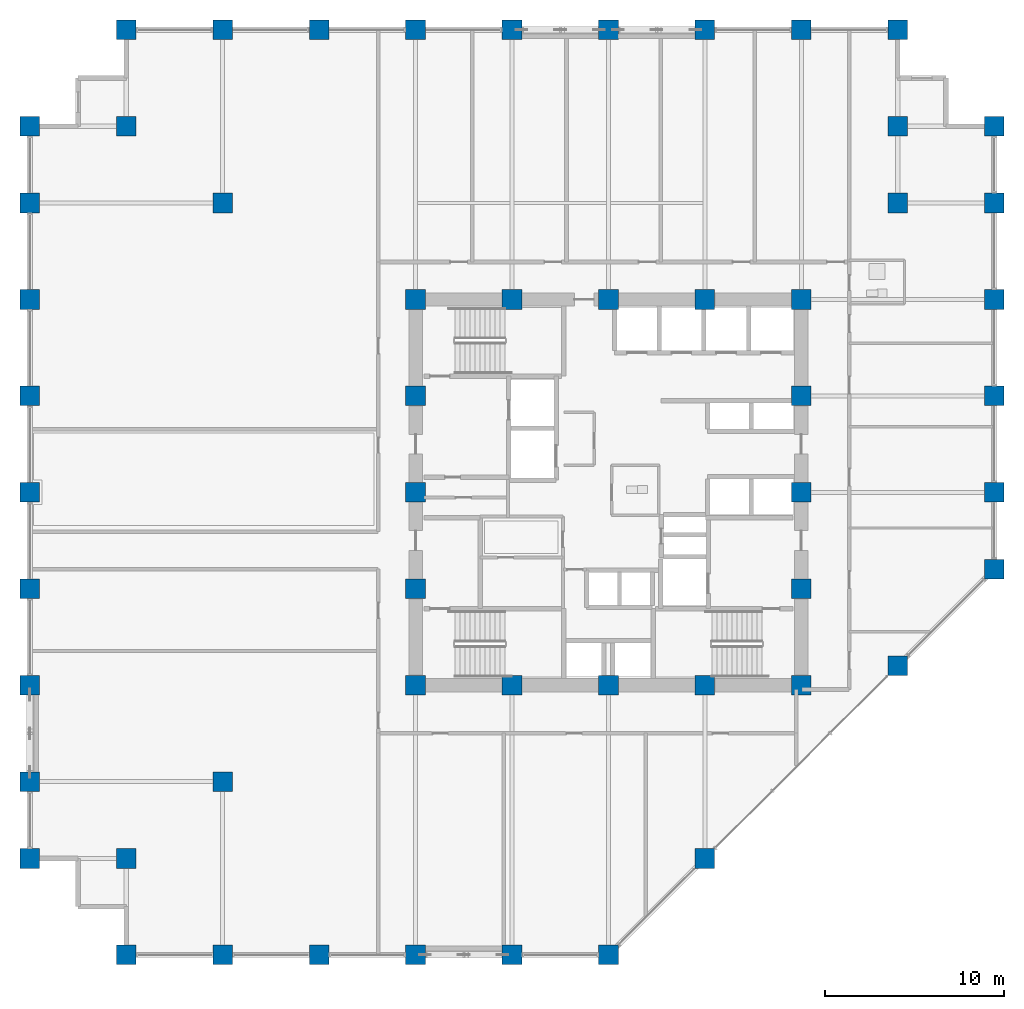
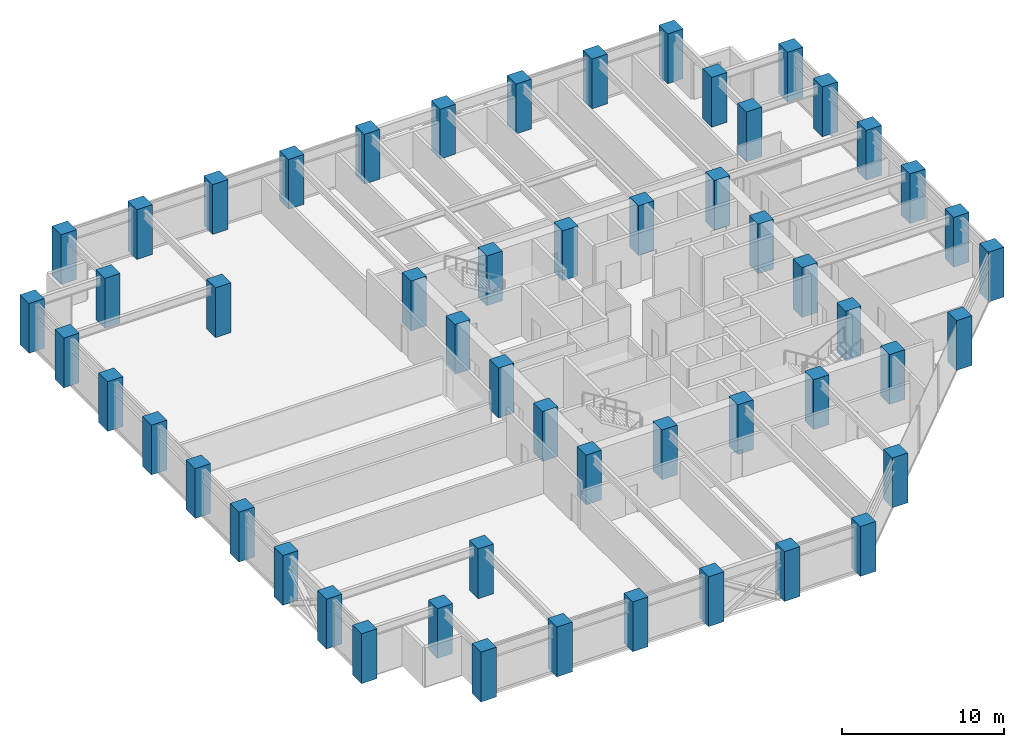
# One storey, part 1 of 25: 54 columns.
"""IFC4 building model written with IfcOpenShell, lengths in metres."""

from ifc_helpers import new_model, si_unit, direction, frame, origin, origin_2d, place, context, subcontext, project, spatial, rectangle, extrude, material, material_profile, profile_set, type_object, element, save


model = new_model("IFC4")

# Units and contexts
model_context = context("Model", 3, precision=1e-05, world=origin(), true_north=direction((0.0, 1.0)))
body_context = subcontext(model_context, "Body", "Model", "MODEL_VIEW")
ifc_project = project(units=[si_unit("LENGTHUNIT", "METRE"), si_unit("AREAUNIT", "SQUARE_METRE"), si_unit("VOLUMEUNIT", "CUBIC_METRE"), si_unit("PLANEANGLEUNIT", "RADIAN"), si_unit("MASSUNIT", "GRAM", prefix="KILO")], contexts=[model_context])

# Site, building, storey
site_placement = place(None, origin())
site = spatial("IfcSite", under=ifc_project, at=site_placement, CompositionType="ELEMENT")
building_placement = place(site_placement, origin())
building = spatial("IfcBuilding", under=site, at=building_placement, Name="Surkhivell Harbour Commons", CompositionType="ELEMENT")
storey_placement = place(building_placement, frame((0.0, 0.0, 120.75)))
storey = spatial("IfcBuildingStorey", under=building, at=storey_placement, Name="L31", CompositionType="ELEMENT", Elevation=120.75)

# Columns
ifc_material = material(Name="Concrete C60/75", Category="concrete")
ifc_material_profile = material_profile(ifc_material, rectangle(XDim=1.10009765625, YDim=1.10009765625, at=origin_2d()), Name="RC-COL-1100x1100")
ifc_profile_set = profile_set([ifc_material_profile], Name="Concrete C60/75")
column_type = type_object("IfcColumnType", Name="COL-TUBE-Z2A", PredefinedType="COLUMN", material=ifc_profile_set)
for number, where, z_axis, x_axis, name in (
    (1, (-32.39990234375, -20.5, 0.0), (0.0, 0.0, 1.0), (1.0, 0.0, 0.0), "L31 Column CT-2A (-32.4,-20.5)"),
    (2, (-32.39990234375, -16.199951171875, 0.0), (0.0, 0.0, 1.0), (1.0, 0.0, 0.0), "L31 Column CT-2A (-32.4,-16.2)"),
    (3, (-32.39990234375, -10.800048828125, 0.0), (0.0, 0.0, 1.0), (1.0, 0.0, 0.0), "L31 Column CT-2A (-32.4,-10.8)"),
    (4, (-32.39990234375, -5.39990234375, 0.0), (0.0, 0.0, 1.0), (1.0, 0.0, 0.0), "L31 Column CT-2A (-32.4,-5.4)"),
    (5, (-32.39990234375, 0.0, 0.0), (0.0, 0.0, 1.0), (1.0, 0.0, 0.0), "L31 Column CT-2A (-32.4,0.0)"),
    (6, (-32.39990234375, 5.39990234375, 0.0), (0.0, 0.0, 1.0), (1.0, 0.0, 0.0), "L31 Column CT-2A (-32.4,5.4)"),
    (7, (-32.39990234375, 10.800048828125, 0.0), (0.0, 0.0, 1.0), (1.0, 0.0, 0.0), "L31 Column CT-2A (-32.4,10.8)"),
    (8, (-32.39990234375, 16.199951171875, 0.0), (0.0, 0.0, 1.0), (1.0, 0.0, 0.0), "L31 Column CT-2A (-32.4,16.2)"),
    (9, (-32.39990234375, 20.5, 0.0), (0.0, 0.0, 1.0), (1.0, 0.0, 0.0), "L31 Column CT-2A (-32.4,20.5)"),
    (10, (-27.0, -25.89990234375, 0.0), (0.0, 0.0, 1.0), (1.0, 0.0, 0.0), "L31 Column CT-2A (-27.0,-25.9)"),
    (11, (-27.0, -20.5, 0.0), (0.0, 0.0, 1.0), (1.0, 0.0, 0.0), "L31 Column CT-2A (-27.0,-20.5)"),
    (12, (-27.0, 20.5, 0.0), (0.0, 0.0, 1.0), (1.0, 0.0, 0.0), "L31 Column CT-2A (-27.0,20.5)"),
    (13, (-27.0, 25.89990234375, 0.0), (0.0, 0.0, 1.0), (1.0, 0.0, 0.0), "L31 Column CT-2A (-27.0,25.9)"),
    (14, (-21.60009765625, -25.89990234375, 0.0), (0.0, 0.0, 1.0), (1.0, 0.0, 0.0), "L31 Column CT-2A (-21.6,-25.9)"),
    (15, (-21.60009765625, -16.199951171875, 0.0), (0.0, 0.0, 1.0), (1.0, 0.0, 0.0), "L31 Column CT-2A (-21.6,-16.2)"),
    (16, (-21.60009765625, 16.199951171875, 0.0), (0.0, 0.0, 1.0), (1.0, 0.0, 0.0), "L31 Column CT-2A (-21.6,16.2)"),
    (17, (-21.60009765625, 25.89990234375, 0.0), (0.0, 0.0, 1.0), (1.0, 0.0, 0.0), "L31 Column CT-2A (-21.6,25.9)"),
    (18, (-16.199951171875, -25.89990234375, 0.0), (0.0, 0.0, 1.0), (1.0, 0.0, 0.0), "L31 Column CT-2A (-16.2,-25.9)"),
    (19, (-16.199951171875, 25.89990234375, 0.0), (0.0, 0.0, 1.0), (1.0, 0.0, 0.0), "L31 Column CT-2A (-16.2,25.9)"),
    (20, (-10.800048828125, -25.89990234375, 0.0), (0.0, 0.0, 1.0), (1.0, 0.0, 0.0), "L31 Column CT-2A (-10.8,-25.9)"),
    (21, (-10.800048828125, -10.800048828125, 0.0), (0.0, 0.0, 1.0), (1.0, 0.0, 0.0), "L31 Column CT-2A (-10.8,-10.8)"),
    (22, (-10.800048828125, -5.39990234375, 0.0), (0.0, 0.0, 1.0), (1.0, 0.0, 0.0), "L31 Column CT-2A (-10.8,-5.4)"),
    (23, (-10.800048828125, 0.0, 0.0), (0.0, 0.0, 1.0), (1.0, 0.0, 0.0), "L31 Column CT-2A (-10.8,0.0)"),
    (24, (-10.800048828125, 5.39990234375, 0.0), (0.0, 0.0, 1.0), (1.0, 0.0, 0.0), "L31 Column CT-2A (-10.8,5.4)"),
    (25, (-10.800048828125, 10.800048828125, 0.0), (0.0, 0.0, 1.0), (1.0, 0.0, 0.0), "L31 Column CT-2A (-10.8,10.8)"),
    (26, (-10.800048828125, 25.89990234375, 0.0), (0.0, 0.0, 1.0), (1.0, 0.0, 0.0), "L31 Column CT-2A (-10.8,25.9)"),
    (27, (-5.39990234375, -25.89990234375, 0.0), (0.0, 0.0, 1.0), (1.0, 0.0, 0.0), "L31 Column CT-2A (-5.4,-25.9)"),
    (28, (-5.39990234375, -10.800048828125, 0.0), (0.0, 0.0, 1.0), (1.0, 0.0, 0.0), "L31 Column CT-2A (-5.4,-10.8)"),
    (29, (-5.39990234375, 10.800048828125, 0.0), (0.0, 0.0, 1.0), (1.0, 0.0, 0.0), "L31 Column CT-2A (-5.4,10.8)"),
    (30, (-5.39990234375, 25.89990234375, 0.0), (0.0, 0.0, 1.0), (1.0, 0.0, 0.0), "L31 Column CT-2A (-5.4,25.9)"),
    (31, (0.0, -25.89990234375, 0.0), (0.0, 0.0, 1.0), (1.0, 0.0, 0.0), "L31 Column CT-2A (-0.0,-25.9)"),
    (32, (0.0, -10.800048828125, 0.0), (0.0, 0.0, 1.0), (1.0, 0.0, 0.0), "L31 Column CT-2A (0.0,-10.8)"),
    (33, (0.0, 10.800048828125, 0.0), (0.0, 0.0, 1.0), (1.0, 0.0, 0.0), "L31 Column CT-2A (0.0,10.8)"),
    (34, (0.0, 25.89990234375, 0.0), (0.0, 0.0, 1.0), (1.0, 0.0, 0.0), "L31 Column CT-2A (-0.0,25.9)"),
    (35, (5.39990234375, -20.5, 0.0), (0.0, 0.0, 1.0), (1.0, 0.0, 0.0), "L31 Column CT-2A (5.4,-20.5)"),
    (36, (5.39990234375, -10.800048828125, 0.0), (0.0, 0.0, 1.0), (1.0, 0.0, 0.0), "L31 Column CT-2A (5.4,-10.8)"),
    (37, (5.39990234375, 10.800048828125, 0.0), (0.0, 0.0, 1.0), (1.0, 0.0, 0.0), "L31 Column CT-2A (5.4,10.8)"),
    (38, (5.39990234375, 25.89990234375, 0.0), (0.0, 0.0, 1.0), (1.0, 0.0, 0.0), "L31 Column CT-2A (5.4,25.9)"),
    (39, (10.800048828125, -10.800048828125, 0.0), (0.0, 0.0, 1.0), (1.0, 0.0, 0.0), "L31 Column CT-2A (10.8,-10.8)"),
    (40, (10.800048828125, -5.39990234375, 0.0), (0.0, 0.0, 1.0), (1.0, 0.0, 0.0), "L31 Column CT-2A (10.8,-5.4)"),
    (41, (10.800048828125, 0.0, 0.0), (0.0, 0.0, 1.0), (1.0, 0.0, 0.0), "L31 Column CT-2A (10.8,0.0)"),
    (42, (10.800048828125, 5.39990234375, 0.0), (0.0, 0.0, 1.0), (1.0, 0.0, 0.0), "L31 Column CT-2A (10.8,5.4)"),
    (43, (10.800048828125, 10.800048828125, 0.0), (0.0, 0.0, 1.0), (1.0, 0.0, 0.0), "L31 Column CT-2A (10.8,10.8)"),
    (44, (10.800048828125, 25.89990234375, 0.0), (0.0, 0.0, 1.0), (1.0, 0.0, 0.0), "L31 Column CT-2A (10.8,25.9)"),
    (45, (16.199951171875, -9.699951171875, 0.0), (0.0, 0.0, 1.0), (1.0, 0.0, 0.0), "L31 Column CT-2A (16.2,-9.7)"),
    (46, (16.199951171875, 16.199951171875, 0.0), (0.0, 0.0, 1.0), (1.0, 0.0, 0.0), "L31 Column CT-2A (16.2,16.2)"),
    (47, (16.199951171875, 20.5, 0.0), (0.0, 0.0, 1.0), (1.0, 0.0, 0.0), "L31 Column CT-2A (16.2,20.5)"),
    (48, (16.199951171875, 25.89990234375, 0.0), (0.0, 0.0, 1.0), (1.0, 0.0, 0.0), "L31 Column CT-2A (16.2,25.9)"),
    (49, (21.60009765625, -4.300048828125, 0.0), (0.0, 0.0, 1.0), (1.0, 0.0, 0.0), "L31 Column CT-2A (21.6,-4.3)"),
    (50, (21.60009765625, 0.0, 0.0), (0.0, 0.0, 1.0), (1.0, 0.0, 0.0), "L31 Column CT-2A (21.6,0.0)"),
    (51, (21.60009765625, 5.39990234375, 0.0), (0.0, 0.0, 1.0), (1.0, 0.0, 0.0), "L31 Column CT-2A (21.6,5.4)"),
    (52, (21.60009765625, 10.800048828125, 0.0), (0.0, 0.0, 1.0), (1.0, 0.0, 0.0), "L31 Column CT-2A (21.6,10.8)"),
    (53, (21.60009765625, 16.199951171875, 0.0), (0.0, 0.0, 1.0), (1.0, 0.0, 0.0), "L31 Column CT-2A (21.6,16.2)"),
    (54, (21.60009765625, 20.5, 0.0), (0.0, 0.0, 1.0), (1.0, 0.0, 0.0), "L31 Column CT-2A (21.6,20.5)"),
):
    element("IfcColumn", number, at=place(storey_placement, frame(where, z_axis=z_axis, x_axis=x_axis)), inside=storey, type_object=column_type, Name=name, PredefinedType="COLUMN", context=body_context, shape_type="SweptSolid", body=[
        extrude(rectangle(XDim=1.10009765625, YDim=1.10009765625, at=origin_2d()), origin(), (0.0, 0.0, 1.0), 3.75),
    ])

save(model, "model.ifc")
